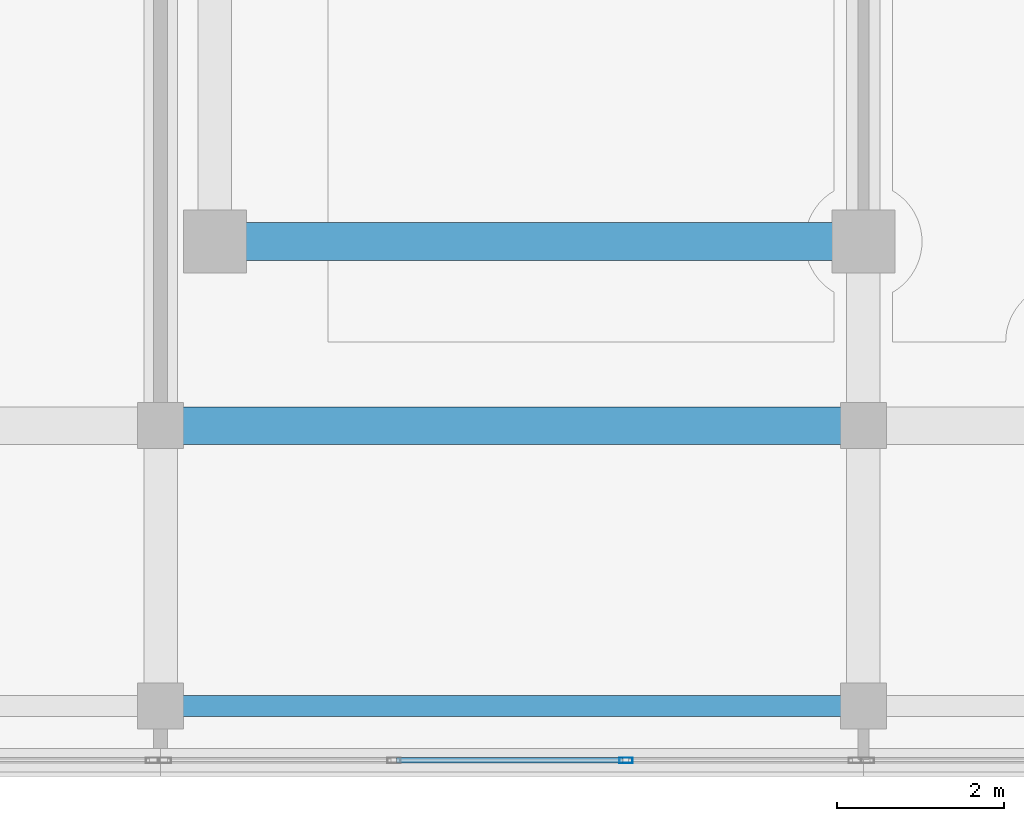
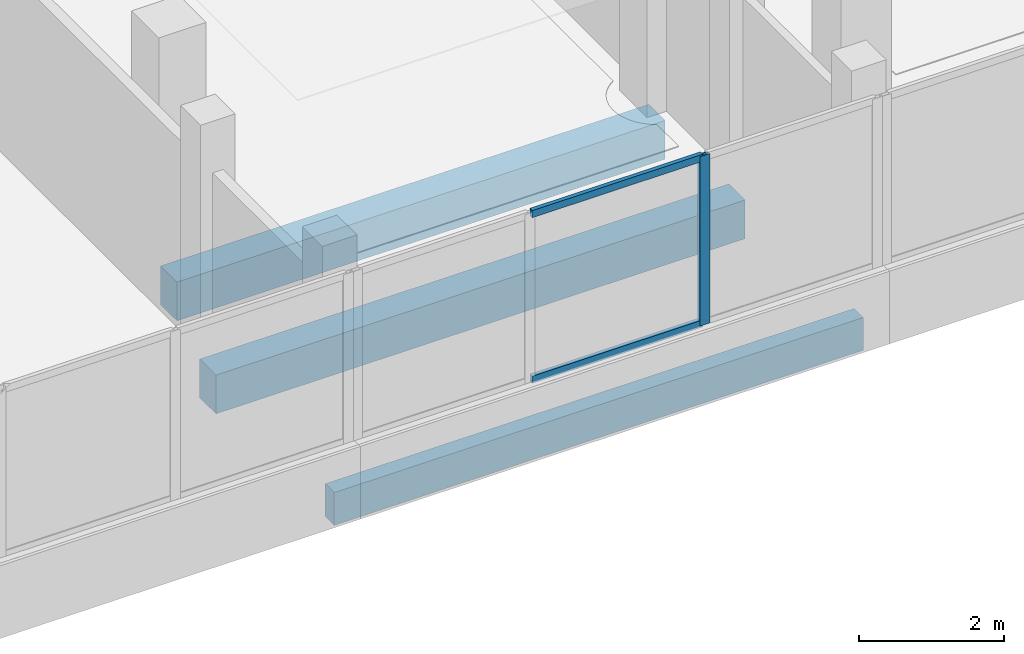
# One storey, part 7 of 66: 3 beams, 3 members, 1 element without a shape of its own.
"""IFC4 building model written with IfcOpenShell, lengths in metres."""

from ifc_helpers import new_model, si_unit, direction, frame, origin, origin_2d, place, context, subcontext, project, spatial, rectangle, hollow_rectangle, extrude, material, material_profile, profile_set, type_object, element, aggregate, save


model = new_model("IFC4")

# Units and contexts
model_context = context("Model", 3, precision=1e-05, world=origin(), true_north=direction((0.0, 1.0)))
body_context = subcontext(model_context, "Body", "Model", "MODEL_VIEW")
ifc_project = project(units=[si_unit("LENGTHUNIT", "METRE"), si_unit("AREAUNIT", "SQUARE_METRE"), si_unit("VOLUMEUNIT", "CUBIC_METRE"), si_unit("PLANEANGLEUNIT", "RADIAN"), si_unit("MASSUNIT", "GRAM", prefix="KILO")], contexts=[model_context])

# Site, building, storey
site_placement = place(None, origin())
site = spatial("IfcSite", under=ifc_project, at=site_placement, CompositionType="ELEMENT")
building_placement = place(site_placement, origin())
building = spatial("IfcBuilding", under=site, at=building_placement, Name="Selatvlak General Hospital", CompositionType="ELEMENT")
storey_placement = place(building_placement, frame((0.0, 0.0, 31.35009765625)))
storey = spatial("IfcBuildingStorey", under=building, at=storey_placement, Name="L07", CompositionType="ELEMENT", Elevation=31.35009765625)

# Beams
ifc_material_1 = material(Name="Concrete C40/50", Category="concrete")
ifc_material_profile_1 = material_profile(ifc_material_1, rectangle(XDim=0.449951171875, YDim=0.64990234375, at=origin_2d()), Name="RC-BM 450x650")
ifc_profile_set_1 = profile_set([ifc_material_profile_1], Name="Concrete C40/50")
beam_type_1 = type_object("IfcBeamType", Name="BM-G04", PredefinedType="BEAM", material=ifc_profile_set_1)
beam_1_placement = place(storey_placement, frame((48.0, 92.0, -0.59521484375), z_axis=(1.0, 0.0, 0.0), x_axis=(0.0, 1.0, 0.0)))
element("IfcBeam", 1, at=beam_1_placement, inside=storey, type_object=beam_type_1, Name="Beam BMR-L07-2384", PredefinedType="BEAM", context=body_context, shape_type="SweptSolid", body=[
    extrude(rectangle(XDim=0.449951171875, YDim=0.64990234375, at=origin_2d()), origin(), (0.0, 0.0, 1.0), 8.39990234375),
])
beam_2_placement = place(storey_placement, frame((48.64990234375, 94.199951171875, -0.59521484375), z_axis=(1.0, 0.0, 0.0), x_axis=(0.0, 1.0, 0.0)))
element("IfcBeam", 2, at=beam_2_placement, inside=storey, type_object=beam_type_1, Name="Beam BMR-L07-2403", PredefinedType="BEAM", context=body_context, shape_type="SweptSolid", body=[
    extrude(rectangle(XDim=0.449951171875, YDim=0.64990234375, at=origin_2d()), origin(), (0.0, 0.0, 1.0), 7.75),
])
ifc_material_profile_2 = material_profile(ifc_material_1, rectangle(XDim=0.25, YDim=0.550048828125, at=origin_2d()), Name="RC-SP 250x550")
ifc_profile_set_2 = profile_set([ifc_material_profile_2], Name="Concrete C40/50")
beam_type_2 = type_object("IfcBeamType", Name="BM-SP2", PredefinedType="SPANDREL", material=ifc_profile_set_2)
beam_3_placement = place(storey_placement, frame((48.0, 88.64990234375, -0.545166015625), z_axis=(1.0, 0.0, 0.0), x_axis=(0.0, 1.0, 0.0)))
element("IfcBeam", 3, at=beam_3_placement, inside=storey, type_object=beam_type_2, Name="Beam BMR-L07-2365", PredefinedType="SPANDREL", context=body_context, shape_type="SweptSolid", body=[
    extrude(rectangle(XDim=0.25, YDim=0.550048828125, at=origin_2d()), origin(), (0.0, 0.0, 1.0), 8.39990234375),
])

# Curtain wall, members
ifc_material_2 = material(Name="Solar-control Low-E double glazing", Category="glass")
curtain_wall_type = type_object("IfcCurtainWallType", Name="CW-CW-02", PredefinedType="USERDEFINED", material=ifc_material_2)
curtain_wall_placement = place(storey_placement, origin())
curtain_wall = element("IfcCurtainWall", 4, at=curtain_wall_placement, inside=storey, type_object=curtain_wall_type, Name="Glazed facade curtain wall CW-L07-0676", ObjectType="UNITISED CURTAIN WALL", PredefinedType="USERDEFINED")
ifc_material_3 = material(Name="Dark anodised aluminium mullion", Category="aluminium")
ifc_material_profile_3 = material_profile(ifc_material_3, hollow_rectangle(XDim=0.06494140625, YDim=0.159912109375, WallThickness=0.00390625, at=origin_2d()), Name="AL-MUL 65x160x4")
ifc_profile_set_3 = profile_set([ifc_material_profile_3], Name="Dark anodised aluminium mullion")
member_type_1 = type_object("IfcMemberType", Name="CWM-01", PredefinedType="MULLION", material=ifc_profile_set_3)
member_1_placement = place(storey_placement, frame((53.561767578125, 88.0, 0.93994140625), z_axis=(0.0, 0.0, 1.0), x_axis=(0.0, -1.0, 0.0)))
member_1 = element("IfcMember", 5, at=member_1_placement, type_object=member_type_1, Name="CW-02 mullion 2", PredefinedType="MULLION", context=body_context, shape_type="SweptSolid", body=[
    extrude(hollow_rectangle(XDim=0.06494140625, YDim=0.159912109375, WallThickness=0.00390625, at=origin_2d()), origin(), (0.0, 0.0, 1.0), 2.844970703125),
])
ifc_material_profile_4 = material_profile(ifc_material_3, hollow_rectangle(XDim=0.06494140625, YDim=0.1201171875, WallThickness=0.00390625, at=origin_2d()), Name="AL-TRN 65x120x4")
ifc_profile_set_4 = profile_set([ifc_material_profile_4], Name="Dark anodised aluminium mullion")
member_type_2 = type_object("IfcMemberType", Name="CWT-01", PredefinedType="USERDEFINED", material=ifc_profile_set_4)
member_2_placement = place(storey_placement, frame((53.529052734375, 88.0, 0.972412109375), z_axis=(-1.0, 0.0, 0.0), x_axis=(0.0, -1.0, 0.0)))
member_2 = element("IfcMember", 6, at=member_2_placement, type_object=member_type_2, Name="CW-02 transom 2.1", ObjectType="TRANSOM", PredefinedType="USERDEFINED", context=body_context, shape_type="SweptSolid", body=[
    extrude(hollow_rectangle(XDim=0.06494140625, YDim=0.1201171875, WallThickness=0.00390625, at=origin_2d()), origin(), (0.0, 0.0, 1.0), 2.708251953125),
])
member_3_placement = place(storey_placement, frame((53.529052734375, 88.0, 3.75244140625), z_axis=(-1.0, 0.0, 0.0), x_axis=(0.0, -1.0, 0.0)))
member_3 = element("IfcMember", 7, at=member_3_placement, type_object=member_type_2, Name="CW-02 transom 2.2", ObjectType="TRANSOM", PredefinedType="USERDEFINED", context=body_context, shape_type="SweptSolid", body=[
    extrude(hollow_rectangle(XDim=0.06494140625, YDim=0.1201171875, WallThickness=0.00390625, at=origin_2d()), origin(), (0.0, 0.0, 1.0), 2.708251953125),
])
aggregate(curtain_wall, [member_1, member_2, member_3])

save(model, "model.ifc")
